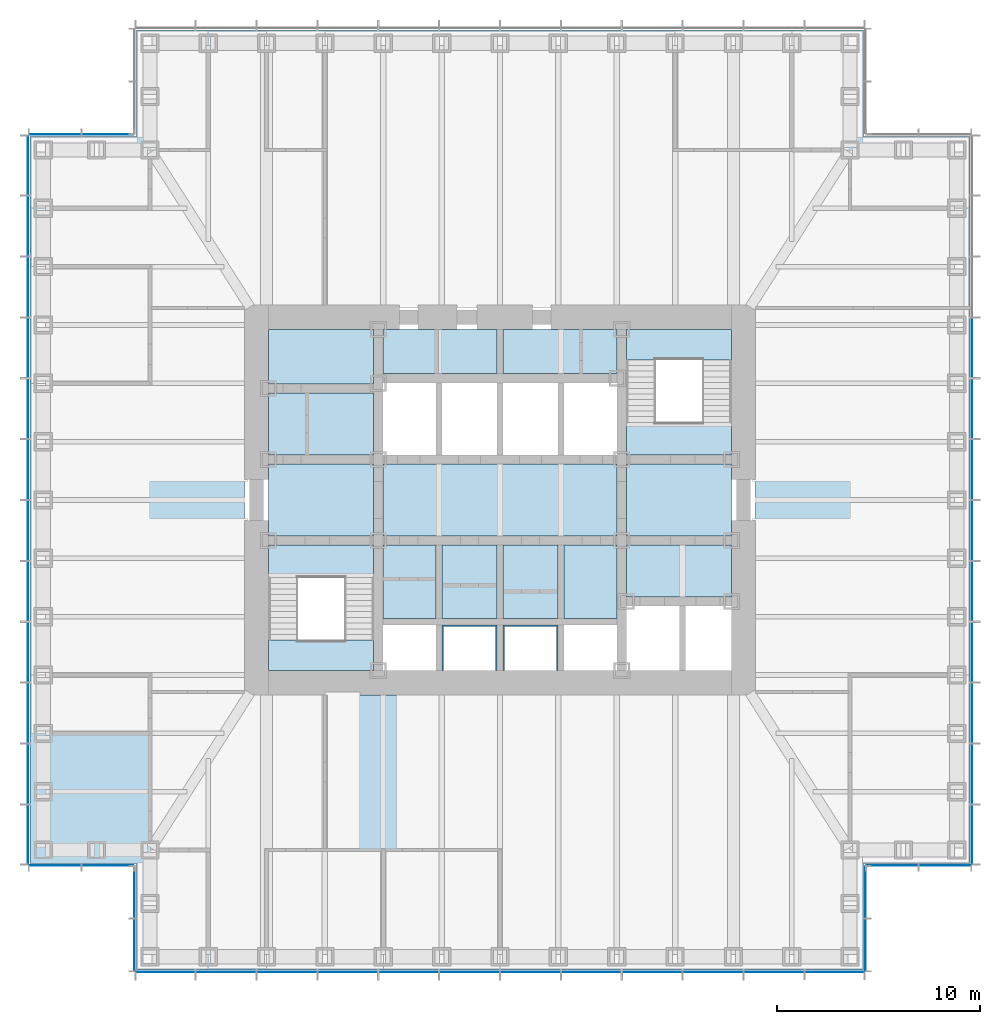
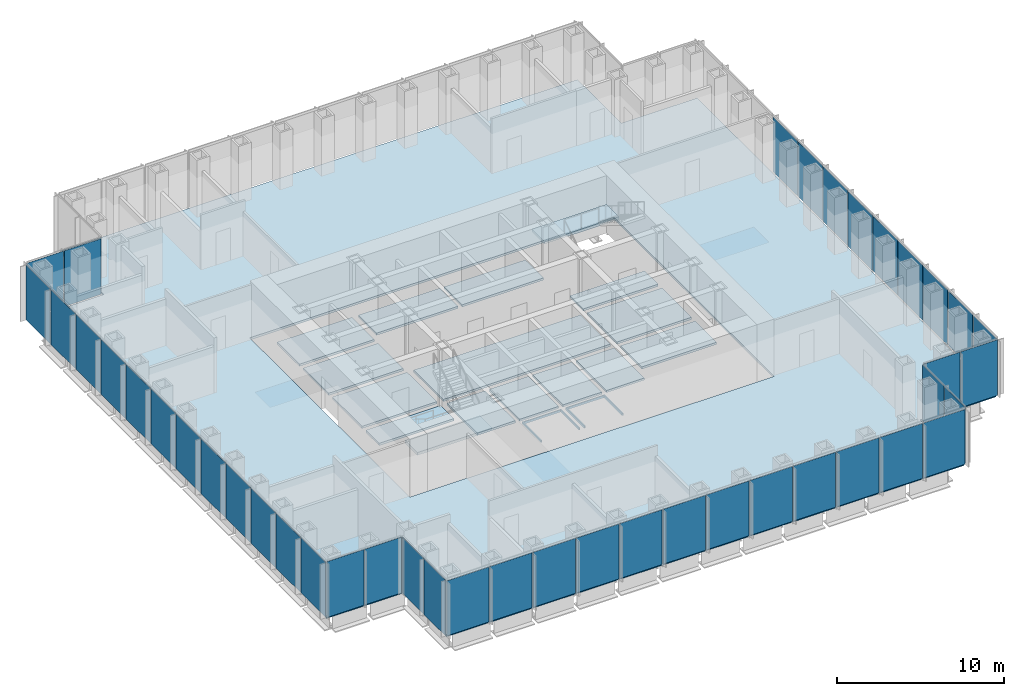
# One storey, part 7 of 17: 43 plates, 19 slabs, 10 elements without a shape of their own.
"""IFC4 building model written with IfcOpenShell, lengths in metres."""

from ifc_helpers import new_model, si_unit, direction, frame, origin, origin_2d, place, context, subcontext, project, spatial, polyline, rectangle, outline, extrude, material, layer, layer_set, type_object, element, aggregate, save


model = new_model("IFC4")

# Units and contexts
model_context = context("Model", 3, precision=1e-05, world=origin(), true_north=direction((0.0, 1.0)))
body_context = subcontext(model_context, "Body", "Model", "MODEL_VIEW")
ifc_project = project(units=[si_unit("LENGTHUNIT", "METRE"), si_unit("AREAUNIT", "SQUARE_METRE"), si_unit("VOLUMEUNIT", "CUBIC_METRE"), si_unit("PLANEANGLEUNIT", "RADIAN"), si_unit("MASSUNIT", "GRAM", prefix="KILO")], contexts=[model_context])

# Site, building, storey
site_placement = place(None, origin())
site = spatial("IfcSite", under=ifc_project, at=site_placement, CompositionType="ELEMENT")
building_placement = place(site_placement, origin())
building = spatial("IfcBuilding", under=site, at=building_placement, Name="Daluyong Arena Tower", CompositionType="ELEMENT")
storey_placement = place(building_placement, frame((0.0, 0.0, 154.300048828125)))
storey = spatial("IfcBuildingStorey", under=building, at=storey_placement, Name="L34", CompositionType="ELEMENT", Elevation=154.300048828125)

# Curtain wall, plates
ifc_material_1 = material(Name="Bronze anodised aluminium and glass", Category="aluminium")
curtain_wall_type_1 = type_object("IfcCurtainWallType", Name="Curtain wall CW2", PredefinedType="USERDEFINED", material=ifc_material_1)
curtain_wall_1_placement = place(storey_placement, origin())
curtain_wall_1 = element("IfcCurtainWall", 1, at=curtain_wall_1_placement, inside=storey, type_object=curtain_wall_type_1, Name="curtain wall L34 S", ObjectType="UNITISED CURTAIN WALL", PredefinedType="USERDEFINED")
ifc_material_2 = material(Name="Tinted double glazed unit", Category="glass")
ifc_layer_1 = layer(ifc_material_2, 0.031982421875)
ifc_layer_set_1 = layer_set([ifc_layer_1], Name="Tinted double glazed unit")
plate_type_1 = type_object("IfcPlateType", Name="CW2 panel 32", PredefinedType="CURTAIN_PANEL", material=ifc_layer_set_1)
plate_1_placement = place(storey_placement, frame((39.52001953125, 56.75, 0.0), z_axis=(0.0, 0.0, 1.0), x_axis=(1.0, 0.0, 0.0)))
plate_1 = element("IfcPlate", 2, at=plate_1_placement, type_object=plate_type_1, Name="curtain wall L34 S panel 1", PredefinedType="CURTAIN_PANEL", context=body_context, shape_type="SweptSolid", body=[
    extrude(rectangle(XDim=2.8798828125, YDim=0.031982421875, at=origin_2d()), origin(), (0.0, 0.0, 1.0), 4.02001953125),
])
plate_2_placement = place(storey_placement, frame((42.5, 56.75, 0.0), z_axis=(0.0, 0.0, 1.0), x_axis=(1.0, 0.0, 0.0)))
plate_2 = element("IfcPlate", 3, at=plate_2_placement, type_object=plate_type_1, Name="curtain wall L34 S panel 2", PredefinedType="CURTAIN_PANEL", context=body_context, shape_type="SweptSolid", body=[
    extrude(rectangle(XDim=2.919921875, YDim=0.031982421875, at=origin_2d()), origin(), (0.0, 0.0, 1.0), 4.02001953125),
])
plate_3_placement = place(storey_placement, frame((45.5, 56.75, 0.0), z_axis=(0.0, 0.0, 1.0), x_axis=(1.0, 0.0, 0.0)))
plate_3 = element("IfcPlate", 4, at=plate_3_placement, type_object=plate_type_1, Name="curtain wall L34 S panel 3", PredefinedType="CURTAIN_PANEL", context=body_context, shape_type="SweptSolid", body=[
    extrude(rectangle(XDim=2.919921875, YDim=0.031982421875, at=origin_2d()), origin(), (0.0, 0.0, 1.0), 4.02001953125),
])
plate_4_placement = place(storey_placement, frame((48.5, 56.75, 0.0), z_axis=(0.0, 0.0, 1.0), x_axis=(1.0, 0.0, 0.0)))
plate_4 = element("IfcPlate", 5, at=plate_4_placement, type_object=plate_type_1, Name="curtain wall L34 S panel 4", PredefinedType="CURTAIN_PANEL", context=body_context, shape_type="SweptSolid", body=[
    extrude(rectangle(XDim=2.919921875, YDim=0.031982421875, at=origin_2d()), origin(), (0.0, 0.0, 1.0), 4.02001953125),
])
plate_5_placement = place(storey_placement, frame((51.5, 56.75, 0.0), z_axis=(0.0, 0.0, 1.0), x_axis=(1.0, 0.0, 0.0)))
plate_5 = element("IfcPlate", 6, at=plate_5_placement, type_object=plate_type_1, Name="curtain wall L34 S panel 5", PredefinedType="CURTAIN_PANEL", context=body_context, shape_type="SweptSolid", body=[
    extrude(rectangle(XDim=2.919921875, YDim=0.031982421875, at=origin_2d()), origin(), (0.0, 0.0, 1.0), 4.02001953125),
])
plate_6_placement = place(storey_placement, frame((54.5, 56.75, 0.0), z_axis=(0.0, 0.0, 1.0), x_axis=(1.0, 0.0, 0.0)))
plate_6 = element("IfcPlate", 7, at=plate_6_placement, type_object=plate_type_1, Name="curtain wall L34 S panel 6", PredefinedType="CURTAIN_PANEL", context=body_context, shape_type="SweptSolid", body=[
    extrude(rectangle(XDim=2.919921875, YDim=0.031982421875, at=origin_2d()), origin(), (0.0, 0.0, 1.0), 4.02001953125),
])
plate_7_placement = place(storey_placement, frame((57.5, 56.75, 0.0), z_axis=(0.0, 0.0, 1.0), x_axis=(1.0, 0.0, 0.0)))
plate_7 = element("IfcPlate", 8, at=plate_7_placement, type_object=plate_type_1, Name="curtain wall L34 S panel 7", PredefinedType="CURTAIN_PANEL", context=body_context, shape_type="SweptSolid", body=[
    extrude(rectangle(XDim=2.919921875, YDim=0.031982421875, at=origin_2d()), origin(), (0.0, 0.0, 1.0), 4.02001953125),
])
plate_8_placement = place(storey_placement, frame((60.5, 56.75, 0.0), z_axis=(0.0, 0.0, 1.0), x_axis=(1.0, 0.0, 0.0)))
plate_8 = element("IfcPlate", 9, at=plate_8_placement, type_object=plate_type_1, Name="curtain wall L34 S panel 8", PredefinedType="CURTAIN_PANEL", context=body_context, shape_type="SweptSolid", body=[
    extrude(rectangle(XDim=2.919921875, YDim=0.031982421875, at=origin_2d()), origin(), (0.0, 0.0, 1.0), 4.02001953125),
])
plate_9_placement = place(storey_placement, frame((63.5, 56.75, 0.0), z_axis=(0.0, 0.0, 1.0), x_axis=(1.0, 0.0, 0.0)))
plate_9 = element("IfcPlate", 10, at=plate_9_placement, type_object=plate_type_1, Name="curtain wall L34 S panel 9", PredefinedType="CURTAIN_PANEL", context=body_context, shape_type="SweptSolid", body=[
    extrude(rectangle(XDim=2.919921875, YDim=0.031982421875, at=origin_2d()), origin(), (0.0, 0.0, 1.0), 4.02001953125),
])
plate_10_placement = place(storey_placement, frame((66.5, 56.75, 0.0), z_axis=(0.0, 0.0, 1.0), x_axis=(1.0, 0.0, 0.0)))
plate_10 = element("IfcPlate", 11, at=plate_10_placement, type_object=plate_type_1, Name="curtain wall L34 S panel 10", PredefinedType="CURTAIN_PANEL", context=body_context, shape_type="SweptSolid", body=[
    extrude(rectangle(XDim=2.919921875, YDim=0.031982421875, at=origin_2d()), origin(), (0.0, 0.0, 1.0), 4.02001953125),
])
plate_11_placement = place(storey_placement, frame((69.5, 56.75, 0.0), z_axis=(0.0, 0.0, 1.0), x_axis=(1.0, 0.0, 0.0)))
plate_11 = element("IfcPlate", 12, at=plate_11_placement, type_object=plate_type_1, Name="curtain wall L34 S panel 11", PredefinedType="CURTAIN_PANEL", context=body_context, shape_type="SweptSolid", body=[
    extrude(rectangle(XDim=2.919921875, YDim=0.031982421875, at=origin_2d()), origin(), (0.0, 0.0, 1.0), 4.02001953125),
])
plate_12_placement = place(storey_placement, frame((72.47998046875, 56.75, 0.0), z_axis=(0.0, 0.0, 1.0), x_axis=(1.0, 0.0, 0.0)))
plate_12 = element("IfcPlate", 13, at=plate_12_placement, type_object=plate_type_1, Name="curtain wall L34 S panel 12", PredefinedType="CURTAIN_PANEL", context=body_context, shape_type="SweptSolid", body=[
    extrude(rectangle(XDim=2.8798828125, YDim=0.031982421875, at=origin_2d()), origin(), (0.0, 0.0, 1.0), 4.02001953125),
])
aggregate(curtain_wall_1, [plate_1, plate_2, plate_3, plate_4, plate_5, plate_6, plate_7, plate_8, plate_9, plate_10, plate_11, plate_12])

curtain_wall_2_placement = place(storey_placement, origin())
curtain_wall_2 = element("IfcCurtainWall", 14, at=curtain_wall_2_placement, inside=storey, type_object=curtain_wall_type_1, Name="curtain wall L34 E", ObjectType="UNITISED CURTAIN WALL", PredefinedType="USERDEFINED")
plate_13_placement = place(storey_placement, frame((79.25, 63.52001953125, 0.0), z_axis=(0.0, 0.0, 1.0), x_axis=(0.0, 1.0, 0.0)))
plate_13 = element("IfcPlate", 15, at=plate_13_placement, type_object=plate_type_1, Name="curtain wall L34 E panel 1", PredefinedType="CURTAIN_PANEL", context=body_context, shape_type="SweptSolid", body=[
    extrude(rectangle(XDim=2.8798828125, YDim=0.031982421875, at=origin_2d()), origin(), (0.0, 0.0, 1.0), 4.02001953125),
])
plate_14_placement = place(storey_placement, frame((79.25, 66.5, 0.0), z_axis=(0.0, 0.0, 1.0), x_axis=(0.0, 1.0, 0.0)))
plate_14 = element("IfcPlate", 16, at=plate_14_placement, type_object=plate_type_1, Name="curtain wall L34 E panel 2", PredefinedType="CURTAIN_PANEL", context=body_context, shape_type="SweptSolid", body=[
    extrude(rectangle(XDim=2.919921875, YDim=0.031982421875, at=origin_2d()), origin(), (0.0, 0.0, 1.0), 4.02001953125),
])
plate_15_placement = place(storey_placement, frame((79.25, 69.5, 0.0), z_axis=(0.0, 0.0, 1.0), x_axis=(0.0, 1.0, 0.0)))
plate_15 = element("IfcPlate", 17, at=plate_15_placement, type_object=plate_type_1, Name="curtain wall L34 E panel 3", PredefinedType="CURTAIN_PANEL", context=body_context, shape_type="SweptSolid", body=[
    extrude(rectangle(XDim=2.919921875, YDim=0.031982421875, at=origin_2d()), origin(), (0.0, 0.0, 1.0), 4.02001953125),
])
plate_16_placement = place(storey_placement, frame((79.25, 72.5, 0.0), z_axis=(0.0, 0.0, 1.0), x_axis=(0.0, 1.0, 0.0)))
plate_16 = element("IfcPlate", 18, at=plate_16_placement, type_object=plate_type_1, Name="curtain wall L34 E panel 4", PredefinedType="CURTAIN_PANEL", context=body_context, shape_type="SweptSolid", body=[
    extrude(rectangle(XDim=2.919921875, YDim=0.031982421875, at=origin_2d()), origin(), (0.0, 0.0, 1.0), 4.02001953125),
])
plate_17_placement = place(storey_placement, frame((79.25, 75.5, 0.0), z_axis=(0.0, 0.0, 1.0), x_axis=(0.0, 1.0, 0.0)))
plate_17 = element("IfcPlate", 19, at=plate_17_placement, type_object=plate_type_1, Name="curtain wall L34 E panel 5", PredefinedType="CURTAIN_PANEL", context=body_context, shape_type="SweptSolid", body=[
    extrude(rectangle(XDim=2.919921875, YDim=0.031982421875, at=origin_2d()), origin(), (0.0, 0.0, 1.0), 4.02001953125),
])
plate_18_placement = place(storey_placement, frame((79.25, 78.5, 0.0), z_axis=(0.0, 0.0, 1.0), x_axis=(0.0, 1.0, 0.0)))
plate_18 = element("IfcPlate", 20, at=plate_18_placement, type_object=plate_type_1, Name="curtain wall L34 E panel 6", PredefinedType="CURTAIN_PANEL", context=body_context, shape_type="SweptSolid", body=[
    extrude(rectangle(XDim=2.919921875, YDim=0.031982421875, at=origin_2d()), origin(), (0.0, 0.0, 1.0), 4.02001953125),
])
plate_19_placement = place(storey_placement, frame((79.25, 81.5, 0.0), z_axis=(0.0, 0.0, 1.0), x_axis=(0.0, 1.0, 0.0)))
plate_19 = element("IfcPlate", 21, at=plate_19_placement, type_object=plate_type_1, Name="curtain wall L34 E panel 7", PredefinedType="CURTAIN_PANEL", context=body_context, shape_type="SweptSolid", body=[
    extrude(rectangle(XDim=2.919921875, YDim=0.031982421875, at=origin_2d()), origin(), (0.0, 0.0, 1.0), 4.02001953125),
])
plate_20_placement = place(storey_placement, frame((79.25, 84.5, 0.0), z_axis=(0.0, 0.0, 1.0), x_axis=(0.0, 1.0, 0.0)))
plate_20 = element("IfcPlate", 22, at=plate_20_placement, type_object=plate_type_1, Name="curtain wall L34 E panel 8", PredefinedType="CURTAIN_PANEL", context=body_context, shape_type="SweptSolid", body=[
    extrude(rectangle(XDim=2.919921875, YDim=0.031982421875, at=origin_2d()), origin(), (0.0, 0.0, 1.0), 4.02001953125),
])
plate_21_placement = place(storey_placement, frame((79.25, 87.5, 0.0), z_axis=(0.0, 0.0, 1.0), x_axis=(0.0, 1.0, 0.0)))
plate_21 = element("IfcPlate", 23, at=plate_21_placement, type_object=plate_type_1, Name="curtain wall L34 E panel 9", PredefinedType="CURTAIN_PANEL", context=body_context, shape_type="SweptSolid", body=[
    extrude(rectangle(XDim=2.919921875, YDim=0.031982421875, at=origin_2d()), origin(), (0.0, 0.0, 1.0), 4.02001953125),
])
aggregate(curtain_wall_2, [plate_13, plate_14, plate_15, plate_16, plate_17, plate_18, plate_19, plate_20, plate_21])

curtain_wall_3_placement = place(storey_placement, origin())
curtain_wall_3 = element("IfcCurtainWall", 24, at=curtain_wall_3_placement, inside=storey, type_object=curtain_wall_type_1, Name="curtain wall L34 W", ObjectType="UNITISED CURTAIN WALL", PredefinedType="USERDEFINED")
plate_22_placement = place(storey_placement, frame((32.75, 96.47998046875, 0.0), z_axis=(0.0, 0.0, 1.0), x_axis=(0.0, -1.0, 0.0)))
plate_22 = element("IfcPlate", 25, at=plate_22_placement, type_object=plate_type_1, Name="curtain wall L34 W panel 1", PredefinedType="CURTAIN_PANEL", context=body_context, shape_type="SweptSolid", body=[
    extrude(rectangle(XDim=2.8798828125, YDim=0.031982421875, at=origin_2d()), origin(), (0.0, 0.0, 1.0), 4.02001953125),
])
plate_23_placement = place(storey_placement, frame((32.75, 93.5, 0.0), z_axis=(0.0, 0.0, 1.0), x_axis=(0.0, -1.0, 0.0)))
plate_23 = element("IfcPlate", 26, at=plate_23_placement, type_object=plate_type_1, Name="curtain wall L34 W panel 2", PredefinedType="CURTAIN_PANEL", context=body_context, shape_type="SweptSolid", body=[
    extrude(rectangle(XDim=2.919921875, YDim=0.031982421875, at=origin_2d()), origin(), (0.0, 0.0, 1.0), 4.02001953125),
])
plate_24_placement = place(storey_placement, frame((32.75, 90.5, 0.0), z_axis=(0.0, 0.0, 1.0), x_axis=(0.0, -1.0, 0.0)))
plate_24 = element("IfcPlate", 27, at=plate_24_placement, type_object=plate_type_1, Name="curtain wall L34 W panel 3", PredefinedType="CURTAIN_PANEL", context=body_context, shape_type="SweptSolid", body=[
    extrude(rectangle(XDim=2.919921875, YDim=0.031982421875, at=origin_2d()), origin(), (0.0, 0.0, 1.0), 4.02001953125),
])
plate_25_placement = place(storey_placement, frame((32.75, 87.5, 0.0), z_axis=(0.0, 0.0, 1.0), x_axis=(0.0, -1.0, 0.0)))
plate_25 = element("IfcPlate", 28, at=plate_25_placement, type_object=plate_type_1, Name="curtain wall L34 W panel 4", PredefinedType="CURTAIN_PANEL", context=body_context, shape_type="SweptSolid", body=[
    extrude(rectangle(XDim=2.919921875, YDim=0.031982421875, at=origin_2d()), origin(), (0.0, 0.0, 1.0), 4.02001953125),
])
plate_26_placement = place(storey_placement, frame((32.75, 84.5, 0.0), z_axis=(0.0, 0.0, 1.0), x_axis=(0.0, -1.0, 0.0)))
plate_26 = element("IfcPlate", 29, at=plate_26_placement, type_object=plate_type_1, Name="curtain wall L34 W panel 5", PredefinedType="CURTAIN_PANEL", context=body_context, shape_type="SweptSolid", body=[
    extrude(rectangle(XDim=2.919921875, YDim=0.031982421875, at=origin_2d()), origin(), (0.0, 0.0, 1.0), 4.02001953125),
])
plate_27_placement = place(storey_placement, frame((32.75, 81.5, 0.0), z_axis=(0.0, 0.0, 1.0), x_axis=(0.0, -1.0, 0.0)))
plate_27 = element("IfcPlate", 30, at=plate_27_placement, type_object=plate_type_1, Name="curtain wall L34 W panel 6", PredefinedType="CURTAIN_PANEL", context=body_context, shape_type="SweptSolid", body=[
    extrude(rectangle(XDim=2.919921875, YDim=0.031982421875, at=origin_2d()), origin(), (0.0, 0.0, 1.0), 4.02001953125),
])
plate_28_placement = place(storey_placement, frame((32.75, 78.5, 0.0), z_axis=(0.0, 0.0, 1.0), x_axis=(0.0, -1.0, 0.0)))
plate_28 = element("IfcPlate", 31, at=plate_28_placement, type_object=plate_type_1, Name="curtain wall L34 W panel 7", PredefinedType="CURTAIN_PANEL", context=body_context, shape_type="SweptSolid", body=[
    extrude(rectangle(XDim=2.919921875, YDim=0.031982421875, at=origin_2d()), origin(), (0.0, 0.0, 1.0), 4.02001953125),
])
plate_29_placement = place(storey_placement, frame((32.75, 75.5, 0.0), z_axis=(0.0, 0.0, 1.0), x_axis=(0.0, -1.0, 0.0)))
plate_29 = element("IfcPlate", 32, at=plate_29_placement, type_object=plate_type_1, Name="curtain wall L34 W panel 8", PredefinedType="CURTAIN_PANEL", context=body_context, shape_type="SweptSolid", body=[
    extrude(rectangle(XDim=2.919921875, YDim=0.031982421875, at=origin_2d()), origin(), (0.0, 0.0, 1.0), 4.02001953125),
])
plate_30_placement = place(storey_placement, frame((32.75, 72.5, 0.0), z_axis=(0.0, 0.0, 1.0), x_axis=(0.0, -1.0, 0.0)))
plate_30 = element("IfcPlate", 33, at=plate_30_placement, type_object=plate_type_1, Name="curtain wall L34 W panel 9", PredefinedType="CURTAIN_PANEL", context=body_context, shape_type="SweptSolid", body=[
    extrude(rectangle(XDim=2.919921875, YDim=0.031982421875, at=origin_2d()), origin(), (0.0, 0.0, 1.0), 4.02001953125),
])
plate_31_placement = place(storey_placement, frame((32.75, 69.5, 0.0), z_axis=(0.0, 0.0, 1.0), x_axis=(0.0, -1.0, 0.0)))
plate_31 = element("IfcPlate", 34, at=plate_31_placement, type_object=plate_type_1, Name="curtain wall L34 W panel 10", PredefinedType="CURTAIN_PANEL", context=body_context, shape_type="SweptSolid", body=[
    extrude(rectangle(XDim=2.919921875, YDim=0.031982421875, at=origin_2d()), origin(), (0.0, 0.0, 1.0), 4.02001953125),
])
plate_32_placement = place(storey_placement, frame((32.75, 66.5, 0.0), z_axis=(0.0, 0.0, 1.0), x_axis=(0.0, -1.0, 0.0)))
plate_32 = element("IfcPlate", 35, at=plate_32_placement, type_object=plate_type_1, Name="curtain wall L34 W panel 11", PredefinedType="CURTAIN_PANEL", context=body_context, shape_type="SweptSolid", body=[
    extrude(rectangle(XDim=2.919921875, YDim=0.031982421875, at=origin_2d()), origin(), (0.0, 0.0, 1.0), 4.02001953125),
])
plate_33_placement = place(storey_placement, frame((32.75, 63.52001953125, 0.0), z_axis=(0.0, 0.0, 1.0), x_axis=(0.0, -1.0, 0.0)))
plate_33 = element("IfcPlate", 36, at=plate_33_placement, type_object=plate_type_1, Name="curtain wall L34 W panel 12", PredefinedType="CURTAIN_PANEL", context=body_context, shape_type="SweptSolid", body=[
    extrude(rectangle(XDim=2.8798828125, YDim=0.031982421875, at=origin_2d()), origin(), (0.0, 0.0, 1.0), 4.02001953125),
])
aggregate(curtain_wall_3, [plate_22, plate_23, plate_24, plate_25, plate_26, plate_27, plate_28, plate_29, plate_30, plate_31, plate_32, plate_33])

ifc_material_3 = material(Name="Bronze anodised aluminium and glass", Category="aluminium")
curtain_wall_type_2 = type_object("IfcCurtainWallType", Name="Curtain wall CW7", PredefinedType="USERDEFINED", material=ifc_material_3)
curtain_wall_4_placement = place(storey_placement, origin())
curtain_wall_4 = element("IfcCurtainWall", 37, at=curtain_wall_4_placement, inside=storey, type_object=curtain_wall_type_2, Name="curtain wall L34 SE-E", ObjectType="UNITISED CURTAIN WALL", PredefinedType="USERDEFINED")
ifc_material_4 = material(Name="Tinted double glazed unit", Category="glass")
ifc_layer_2 = layer(ifc_material_4, 0.028076171875)
ifc_layer_set_2 = layer_set([ifc_layer_2], Name="Tinted double glazed unit")
plate_type_2 = type_object("IfcPlateType", Name="CW7 panel 28", PredefinedType="CURTAIN_PANEL", material=ifc_layer_set_2)
plate_34_placement = place(storey_placement, frame((74.0, 58.077392578125, 0.0), z_axis=(0.0, 0.0, 1.0), x_axis=(0.0, 1.0, 0.0)))
plate_34 = element("IfcPlate", 38, at=plate_34_placement, type_object=plate_type_2, Name="curtain wall L34 SE-E panel 1", PredefinedType="CURTAIN_PANEL", context=body_context, shape_type="SweptSolid", body=[
    extrude(rectangle(XDim=2.534912109375, YDim=0.028076171875, at=origin_2d()), origin(), (0.0, 0.0, 1.0), 4.080078125),
])
plate_35_placement = place(storey_placement, frame((74.0, 60.672607421875, 0.0), z_axis=(0.0, 0.0, 1.0), x_axis=(0.0, 1.0, 0.0)))
plate_35 = element("IfcPlate", 39, at=plate_35_placement, type_object=plate_type_2, Name="curtain wall L34 SE-E panel 2", PredefinedType="CURTAIN_PANEL", context=body_context, shape_type="SweptSolid", body=[
    extrude(rectangle(XDim=2.534912109375, YDim=0.028076171875, at=origin_2d()), origin(), (0.0, 0.0, 1.0), 4.080078125),
])
aggregate(curtain_wall_4, [plate_34, plate_35])

curtain_wall_5_placement = place(storey_placement, origin())
curtain_wall_5 = element("IfcCurtainWall", 40, at=curtain_wall_5_placement, inside=storey, type_object=curtain_wall_type_2, Name="curtain wall L34 SE-S", ObjectType="UNITISED CURTAIN WALL", PredefinedType="USERDEFINED")
plate_36_placement = place(storey_placement, frame((75.327392578125, 62.0, 0.0), z_axis=(0.0, 0.0, 1.0), x_axis=(1.0, 0.0, 0.0)))
plate_36 = element("IfcPlate", 41, at=plate_36_placement, type_object=plate_type_2, Name="curtain wall L34 SE-S panel 1", PredefinedType="CURTAIN_PANEL", context=body_context, shape_type="SweptSolid", body=[
    extrude(rectangle(XDim=2.534912109375, YDim=0.028076171875, at=origin_2d()), origin(), (0.0, 0.0, 1.0), 4.080078125),
])
plate_37_placement = place(storey_placement, frame((77.922607421875, 62.0, 0.0), z_axis=(0.0, 0.0, 1.0), x_axis=(1.0, 0.0, 0.0)))
plate_37 = element("IfcPlate", 42, at=plate_37_placement, type_object=plate_type_2, Name="curtain wall L34 SE-S panel 2", PredefinedType="CURTAIN_PANEL", context=body_context, shape_type="SweptSolid", body=[
    extrude(rectangle(XDim=2.534912109375, YDim=0.028076171875, at=origin_2d()), origin(), (0.0, 0.0, 1.0), 4.080078125),
])
aggregate(curtain_wall_5, [plate_36, plate_37])

curtain_wall_6_placement = place(storey_placement, origin())
curtain_wall_6 = element("IfcCurtainWall", 43, at=curtain_wall_6_placement, inside=storey, type_object=curtain_wall_type_2, Name="curtain wall L34 NW-N", ObjectType="UNITISED CURTAIN WALL", PredefinedType="USERDEFINED")
plate_38_placement = place(storey_placement, frame((36.672607421875, 98.0, 0.0), z_axis=(0.0, 0.0, 1.0), x_axis=(-1.0, 0.0, 0.0)))
plate_38 = element("IfcPlate", 44, at=plate_38_placement, type_object=plate_type_2, Name="curtain wall L34 NW-N panel 1", PredefinedType="CURTAIN_PANEL", context=body_context, shape_type="SweptSolid", body=[
    extrude(rectangle(XDim=2.534912109375, YDim=0.028076171875, at=origin_2d()), origin(), (0.0, 0.0, 1.0), 4.080078125),
])
plate_39_placement = place(storey_placement, frame((34.077392578125, 98.0, 0.0), z_axis=(0.0, 0.0, 1.0), x_axis=(-1.0, 0.0, 0.0)))
plate_39 = element("IfcPlate", 45, at=plate_39_placement, type_object=plate_type_2, Name="curtain wall L34 NW-N panel 2", PredefinedType="CURTAIN_PANEL", context=body_context, shape_type="SweptSolid", body=[
    extrude(rectangle(XDim=2.534912109375, YDim=0.028076171875, at=origin_2d()), origin(), (0.0, 0.0, 1.0), 4.080078125),
])
aggregate(curtain_wall_6, [plate_38, plate_39])

curtain_wall_7_placement = place(storey_placement, origin())
curtain_wall_7 = element("IfcCurtainWall", 46, at=curtain_wall_7_placement, inside=storey, type_object=curtain_wall_type_2, Name="curtain wall L34 SW-S", ObjectType="UNITISED CURTAIN WALL", PredefinedType="USERDEFINED")
plate_40_placement = place(storey_placement, frame((34.077392578125, 62.0, 0.0), z_axis=(0.0, 0.0, 1.0), x_axis=(1.0, 0.0, 0.0)))
plate_40 = element("IfcPlate", 47, at=plate_40_placement, type_object=plate_type_2, Name="curtain wall L34 SW-S panel 1", PredefinedType="CURTAIN_PANEL", context=body_context, shape_type="SweptSolid", body=[
    extrude(rectangle(XDim=2.534912109375, YDim=0.028076171875, at=origin_2d()), origin(), (0.0, 0.0, 1.0), 4.080078125),
])
plate_41_placement = place(storey_placement, frame((36.672607421875, 62.0, 0.0), z_axis=(0.0, 0.0, 1.0), x_axis=(1.0, 0.0, 0.0)))
plate_41 = element("IfcPlate", 48, at=plate_41_placement, type_object=plate_type_2, Name="curtain wall L34 SW-S panel 2", PredefinedType="CURTAIN_PANEL", context=body_context, shape_type="SweptSolid", body=[
    extrude(rectangle(XDim=2.534912109375, YDim=0.028076171875, at=origin_2d()), origin(), (0.0, 0.0, 1.0), 4.080078125),
])
aggregate(curtain_wall_7, [plate_40, plate_41])

curtain_wall_8_placement = place(storey_placement, origin())
curtain_wall_8 = element("IfcCurtainWall", 49, at=curtain_wall_8_placement, inside=storey, type_object=curtain_wall_type_2, Name="curtain wall L34 SW-W", ObjectType="UNITISED CURTAIN WALL", PredefinedType="USERDEFINED")
plate_42_placement = place(storey_placement, frame((38.0, 60.672607421875, 0.0), z_axis=(0.0, 0.0, 1.0), x_axis=(0.0, -1.0, 0.0)))
plate_42 = element("IfcPlate", 50, at=plate_42_placement, type_object=plate_type_2, Name="curtain wall L34 SW-W panel 1", PredefinedType="CURTAIN_PANEL", context=body_context, shape_type="SweptSolid", body=[
    extrude(rectangle(XDim=2.534912109375, YDim=0.028076171875, at=origin_2d()), origin(), (0.0, 0.0, 1.0), 4.080078125),
])
plate_43_placement = place(storey_placement, frame((38.0, 58.077392578125, 0.0), z_axis=(0.0, 0.0, 1.0), x_axis=(0.0, -1.0, 0.0)))
plate_43 = element("IfcPlate", 51, at=plate_43_placement, type_object=plate_type_2, Name="curtain wall L34 SW-W panel 2", PredefinedType="CURTAIN_PANEL", context=body_context, shape_type="SweptSolid", body=[
    extrude(rectangle(XDim=2.534912109375, YDim=0.028076171875, at=origin_2d()), origin(), (0.0, 0.0, 1.0), 4.080078125),
])
aggregate(curtain_wall_8, [plate_42, plate_43])

# Stair, slab
ifc_material_5 = material(Name="Concrete fc' 35 MPa", Category="concrete")
stair_type = type_object("IfcStairType", Name="Core exit stair", PredefinedType="HALF_TURN_STAIR", material=ifc_material_5)
stair_1_placement = place(storey_placement, origin())
stair_1 = element("IfcStair", 52, at=stair_1_placement, inside=storey, type_object=stair_type, Name="exit stair A L34", PredefinedType="HALF_TURN_STAIR")
ifc_material_6 = material(Name="Concrete fc' 35 MPa", Category="concrete")
ifc_layer_3 = layer(ifc_material_6, 0.199951171875)
ifc_layer_set_3 = layer_set([ifc_layer_3], Name="Concrete fc' 35 MPa")
slab_type_1 = type_object("IfcSlabType", Name="Stair landing 200", PredefinedType="LANDING", material=ifc_layer_set_3)
slab_1_placement = place(storey_placement, frame((0.0, 0.0, 1.89990234375)))
slab_1 = element("IfcSlab", 53, at=slab_1_placement, type_object=slab_type_1, Name="STA landing 1", PredefinedType="LANDING", context=body_context, shape_type="SweptSolid", body=[
    extrude(outline(polyline([(44.60009765625, 71.60009765625), (49.77490234375, 71.60009765625), (49.77490234375, 73.094970703125), (44.60009765625, 73.094970703125), (44.60009765625, 71.60009765625)])), origin(), (0.0, 0.0, 1.0), 0.199951171875),
])
aggregate(stair_1, [slab_1])

stair_2_placement = place(storey_placement, origin())
stair_2 = element("IfcStair", 54, at=stair_2_placement, inside=storey, type_object=stair_type, Name="exit stair B L34", PredefinedType="HALF_TURN_STAIR")
slab_2_placement = place(storey_placement, frame((0.0, 0.0, 1.89990234375)))
slab_2 = element("IfcSlab", 55, at=slab_2_placement, type_object=slab_type_1, Name="STB landing 1", PredefinedType="LANDING", context=body_context, shape_type="SweptSolid", body=[
    extrude(outline(polyline([(62.22509765625, 86.905029296875), (67.39990234375, 86.905029296875), (67.39990234375, 88.39990234375), (62.22509765625, 88.39990234375), (62.22509765625, 86.905029296875)])), origin(), (0.0, 0.0, 1.0), 0.199951171875),
])
aggregate(stair_2, [slab_2])

# Slabs
ifc_material_7 = material(Name="Concrete fc' 35 MPa", Category="concrete")
ifc_layer_4 = layer(ifc_material_7, 0.159912109375)
ifc_layer_set_4 = layer_set([ifc_layer_4], Name="Concrete fc' 35 MPa")
slab_type_2 = type_object("IfcSlabType", Name="Tower floor slab 160", PredefinedType="FLOOR", material=ifc_layer_set_4)
slab_3_placement = place(storey_placement, frame((0.0, 0.0, -0.16015625)))
element("IfcSlab", 56, at=slab_3_placement, inside=storey, type_object=slab_type_2, Name="floor L34 part 1", PredefinedType="FLOOR", context=body_context, shape_type="SweptSolid", body=[
    extrude(outline(polyline([(49.77490234375, 76.175048828125), (49.77490234375, 77.77490234375), (44.60009765625, 77.77490234375), (44.60009765625, 76.175048828125), (49.77490234375, 76.175048828125)])), origin(), (0.0, 0.0, 1.0), 0.16015625),
])
slab_4_placement = place(storey_placement, frame((0.0, 0.0, -0.16015625)))
element("IfcSlab", 57, at=slab_4_placement, inside=storey, type_object=slab_type_2, Name="floor L34 part 2", PredefinedType="FLOOR", context=body_context, shape_type="SweptSolid", body=[
    extrude(outline(polyline([(44.60009765625, 78.22509765625), (49.77490234375, 78.22509765625), (49.77490234375, 81.77490234375), (44.60009765625, 81.77490234375), (44.60009765625, 78.22509765625)])), origin(), (0.0, 0.0, 1.0), 0.16015625),
])
slab_5_placement = place(storey_placement, frame((0.0, 0.0, -0.16015625)))
element("IfcSlab", 58, at=slab_5_placement, inside=storey, type_object=slab_type_2, Name="floor L34 part 3", PredefinedType="FLOOR", context=body_context, shape_type="SweptSolid", body=[
    extrude(outline(polyline([(44.60009765625, 82.22509765625), (49.77490234375, 82.22509765625), (49.77490234375, 85.27490234375), (44.60009765625, 85.27490234375), (44.60009765625, 82.22509765625)])), origin(), (0.0, 0.0, 1.0), 0.16015625),
])
slab_6_placement = place(storey_placement, frame((0.0, 0.0, -0.16015625)))
element("IfcSlab", 59, at=slab_6_placement, inside=storey, type_object=slab_type_2, Name="floor L34 part 4", PredefinedType="FLOOR", context=body_context, shape_type="SweptSolid", body=[
    extrude(outline(polyline([(49.77490234375, 88.39990234375), (44.60009765625, 88.39990234375), (44.60009765625, 85.72509765625), (49.77490234375, 85.72509765625), (49.77490234375, 88.39990234375)])), origin(), (0.0, 0.0, 1.0), 0.16015625),
])
slab_7_placement = place(storey_placement, frame((0.0, 0.0, -0.16015625)))
element("IfcSlab", 60, at=slab_7_placement, inside=storey, type_object=slab_type_2, Name="floor L34 part 5", PredefinedType="FLOOR", context=body_context, shape_type="SweptSolid", body=[
    extrude(outline(polyline([(52.85009765625, 77.77490234375), (50.22509765625, 77.77490234375), (50.22509765625, 74.14990234375), (52.85009765625, 74.14990234375), (52.85009765625, 77.77490234375)])), origin(), (0.0, 0.0, 1.0), 0.16015625),
])
slab_8_placement = place(storey_placement, frame((0.0, 0.0, -0.16015625)))
element("IfcSlab", 61, at=slab_8_placement, inside=storey, type_object=slab_type_2, Name="floor L34 part 6", PredefinedType="FLOOR", context=body_context, shape_type="SweptSolid", body=[
    extrude(outline(polyline([(55.85009765625, 88.39990234375), (50.22509765625, 88.39990234375), (50.22509765625, 86.22509765625), (55.85009765625, 86.22509765625), (55.85009765625, 88.39990234375)])), origin(), (0.0, 0.0, 1.0), 0.16015625),
])
slab_9_placement = place(storey_placement, frame((0.0, 0.0, -0.16015625)))
element("IfcSlab", 62, at=slab_9_placement, inside=storey, type_object=slab_type_2, Name="floor L34 part 7", PredefinedType="FLOOR", context=body_context, shape_type="SweptSolid", body=[
    extrude(outline(polyline([(55.77490234375, 73.77490234375), (55.77490234375, 71.60009765625), (55.85009765625, 71.60009765625), (55.85009765625, 73.85009765625), (53.14990234375, 73.85009765625), (53.14990234375, 71.60009765625), (53.22509765625, 71.60009765625), (53.22509765625, 73.77490234375), (55.77490234375, 73.77490234375)])), origin(), (0.0, 0.0, 1.0), 0.16015625),
])
slab_10_placement = place(storey_placement, frame((0.0, 0.0, -0.16015625)))
element("IfcSlab", 63, at=slab_10_placement, inside=storey, type_object=slab_type_2, Name="floor L34 part 8", PredefinedType="FLOOR", context=body_context, shape_type="SweptSolid", body=[
    extrude(outline(polyline([(55.85009765625, 77.77490234375), (53.14990234375, 77.77490234375), (53.14990234375, 74.14990234375), (55.85009765625, 74.14990234375), (55.85009765625, 77.77490234375)])), origin(), (0.0, 0.0, 1.0), 0.16015625),
])
slab_11_placement = place(storey_placement, frame((0.0, 0.0, -0.16015625)))
element("IfcSlab", 64, at=slab_11_placement, inside=storey, type_object=slab_type_2, Name="floor L34 part 9", PredefinedType="FLOOR", context=body_context, shape_type="SweptSolid", body=[
    extrude(outline(polyline([(38.10009765625, 62.10009765625), (38.10009765625, 56.85009765625), (73.89990234375, 56.85009765625), (73.89990234375, 62.10009765625), (79.14990234375, 62.10009765625), (79.14990234375, 97.89990234375), (73.89990234375, 97.89990234375), (73.89990234375, 103.14990234375), (38.10009765625, 103.14990234375), (38.10009765625, 97.89990234375), (32.85009765625, 97.89990234375), (32.85009765625, 62.10009765625), (38.10009765625, 62.10009765625)]), holes=[polyline([(68.60009765625, 89.60009765625), (68.60009765625, 70.39990234375), (43.39990234375, 70.39990234375), (43.39990234375, 89.60009765625), (68.60009765625, 89.60009765625)])]), origin(), (0.0, 0.0, 1.0), 0.16015625),
])
slab_12_placement = place(storey_placement, frame((0.0, 0.0, -0.16015625)))
element("IfcSlab", 65, at=slab_12_placement, inside=storey, type_object=slab_type_2, Name="floor L34 part 10", PredefinedType="FLOOR", context=body_context, shape_type="SweptSolid", body=[
    extrude(outline(polyline([(61.77490234375, 78.22509765625), (61.77490234375, 81.77490234375), (50.22509765625, 81.77490234375), (50.22509765625, 78.22509765625), (61.77490234375, 78.22509765625)])), origin(), (0.0, 0.0, 1.0), 0.16015625),
])
slab_13_placement = place(storey_placement, frame((0.0, 0.0, -0.16015625)))
element("IfcSlab", 66, at=slab_13_placement, inside=storey, type_object=slab_type_2, Name="floor L34 part 11", PredefinedType="FLOOR", context=body_context, shape_type="SweptSolid", body=[
    extrude(outline(polyline([(58.85009765625, 71.60009765625), (58.85009765625, 73.85009765625), (56.14990234375, 73.85009765625), (56.14990234375, 71.60009765625), (56.22509765625, 71.60009765625), (56.22509765625, 73.77490234375), (58.77490234375, 73.77490234375), (58.77490234375, 71.60009765625), (58.85009765625, 71.60009765625)])), origin(), (0.0, 0.0, 1.0), 0.16015625),
])
slab_14_placement = place(storey_placement, frame((0.0, 0.0, -0.16015625)))
element("IfcSlab", 67, at=slab_14_placement, inside=storey, type_object=slab_type_2, Name="floor L34 part 12", PredefinedType="FLOOR", context=body_context, shape_type="SweptSolid", body=[
    extrude(outline(polyline([(58.85009765625, 77.77490234375), (56.14990234375, 77.77490234375), (56.14990234375, 74.14990234375), (58.85009765625, 74.14990234375), (58.85009765625, 77.77490234375)])), origin(), (0.0, 0.0, 1.0), 0.16015625),
])
slab_15_placement = place(storey_placement, frame((0.0, 0.0, -0.16015625)))
element("IfcSlab", 68, at=slab_15_placement, inside=storey, type_object=slab_type_2, Name="floor L34 part 13", PredefinedType="FLOOR", context=body_context, shape_type="SweptSolid", body=[
    extrude(outline(polyline([(56.14990234375, 88.39990234375), (56.14990234375, 86.22509765625), (61.77490234375, 86.22509765625), (61.77490234375, 88.39990234375), (56.14990234375, 88.39990234375)])), origin(), (0.0, 0.0, 1.0), 0.16015625),
])
slab_16_placement = place(storey_placement, frame((0.0, 0.0, -0.16015625)))
element("IfcSlab", 69, at=slab_16_placement, inside=storey, type_object=slab_type_2, Name="floor L34 part 14", PredefinedType="FLOOR", context=body_context, shape_type="SweptSolid", body=[
    extrude(outline(polyline([(59.14990234375, 77.77490234375), (59.14990234375, 74.14990234375), (61.77490234375, 74.14990234375), (61.77490234375, 77.77490234375), (59.14990234375, 77.77490234375)])), origin(), (0.0, 0.0, 1.0), 0.16015625),
])
slab_17_placement = place(storey_placement, frame((0.0, 0.0, -0.16015625)))
element("IfcSlab", 70, at=slab_17_placement, inside=storey, type_object=slab_type_2, Name="floor L34 part 15", PredefinedType="FLOOR", context=body_context, shape_type="SweptSolid", body=[
    extrude(outline(polyline([(62.22509765625, 75.22509765625), (67.39990234375, 75.22509765625), (67.39990234375, 77.77490234375), (62.22509765625, 77.77490234375), (62.22509765625, 75.22509765625)])), origin(), (0.0, 0.0, 1.0), 0.16015625),
])
slab_18_placement = place(storey_placement, frame((0.0, 0.0, -0.16015625)))
element("IfcSlab", 71, at=slab_18_placement, inside=storey, type_object=slab_type_2, Name="floor L34 part 16", PredefinedType="FLOOR", context=body_context, shape_type="SweptSolid", body=[
    extrude(outline(polyline([(62.22509765625, 78.22509765625), (67.39990234375, 78.22509765625), (67.39990234375, 81.77490234375), (62.22509765625, 81.77490234375), (62.22509765625, 78.22509765625)])), origin(), (0.0, 0.0, 1.0), 0.16015625),
])
slab_19_placement = place(storey_placement, frame((0.0, 0.0, -0.16015625)))
element("IfcSlab", 72, at=slab_19_placement, inside=storey, type_object=slab_type_2, Name="floor L34 part 17", PredefinedType="FLOOR", context=body_context, shape_type="SweptSolid", body=[
    extrude(outline(polyline([(62.22509765625, 82.22509765625), (67.39990234375, 82.22509765625), (67.39990234375, 83.824951171875), (62.22509765625, 83.824951171875), (62.22509765625, 82.22509765625)])), origin(), (0.0, 0.0, 1.0), 0.16015625),
])

save(model, "model.ifc")
